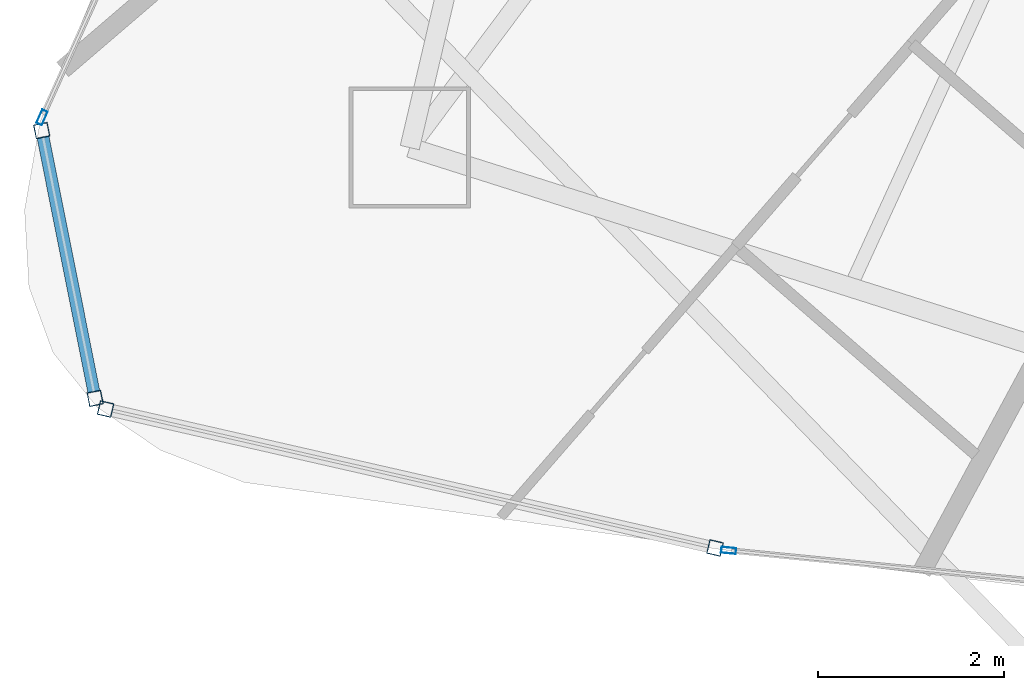
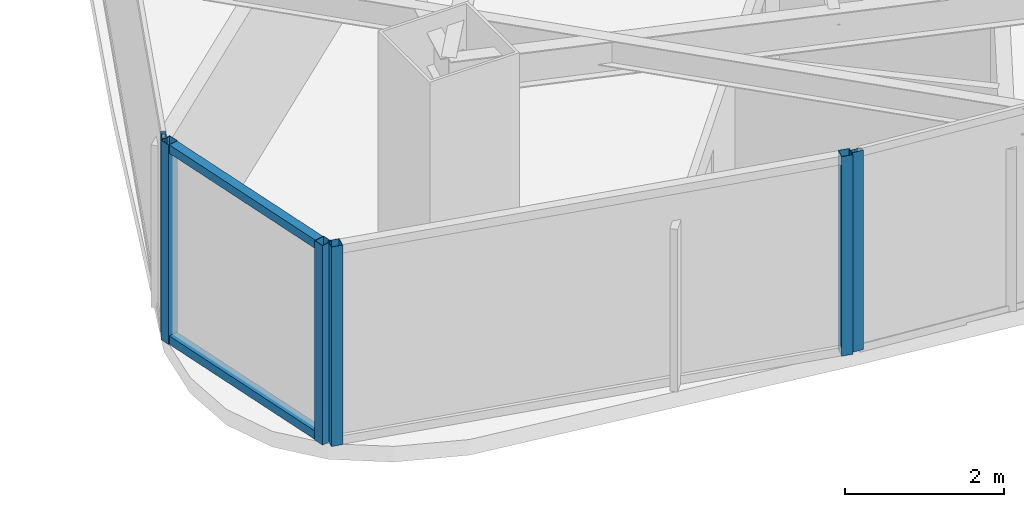
# One storey, part 2 of 30: 8 members, 4 elements without a shape of their own.
"""IFC4 building model written with IfcOpenShell, lengths in metres."""

from ifc_helpers import new_model, si_unit, direction, frame, origin, origin_2d, place, context, subcontext, project, spatial, hollow_rectangle, extrude, material, layer, layer_set, material_profile, profile_set, type_object, element, aggregate, save


model = new_model("IFC4")

# Units and contexts
model_context = context("Model", 3, precision=1e-05, world=origin(), true_north=direction((0.0, 1.0)))
body_context = subcontext(model_context, "Body", "Model", "MODEL_VIEW")
ifc_project = project(units=[si_unit("LENGTHUNIT", "METRE"), si_unit("AREAUNIT", "SQUARE_METRE"), si_unit("VOLUMEUNIT", "CUBIC_METRE"), si_unit("PLANEANGLEUNIT", "RADIAN"), si_unit("MASSUNIT", "GRAM", prefix="KILO")], contexts=[model_context])

# Site, building, storey
site_placement = place(None, origin())
site = spatial("IfcSite", under=ifc_project, at=site_placement, CompositionType="ELEMENT")
building_placement = place(site_placement, origin())
building = spatial("IfcBuilding", under=site, at=building_placement, Name="Orvanel Arch Residences", CompositionType="ELEMENT")
storey_placement = place(building_placement, frame((0.0, 0.0, 226.10009765625)))
storey = spatial("IfcBuildingStorey", under=building, at=storey_placement, Name="L64", CompositionType="ELEMENT", Elevation=226.10009765625)

# Curtain wall, members
ifc_material = material(Name="Bronze-anodised aluminium AA6063-T6", Category="aluminium")
ifc_layer_1 = layer(ifc_material, 0.18994140625)
ifc_layer_set_1 = layer_set([ifc_layer_1], Name="Bronze-anodised aluminium AA6063-T6")
curtain_wall_type_1 = type_object("IfcCurtainWallType", Name="CW5-CRN-SYS", PredefinedType="NOTDEFINED", material=ifc_layer_set_1)
curtain_wall_1_placement = place(storey_placement, origin())
curtain_wall_1 = element("IfcCurtainWall", 1, at=curtain_wall_1_placement, inside=storey, type_object=curtain_wall_type_1, Name="L64 CW5-CRN-SYS Unitised Curtain Wall", PredefinedType="NOTDEFINED")
ifc_material_profile_1 = material_profile(ifc_material, hollow_rectangle(XDim=0.14990234375, YDim=0.14990234375, WallThickness=0.0048828125, at=origin_2d()), Name="ALU150x150x5")
ifc_profile_set_1 = profile_set([ifc_material_profile_1], Name="Bronze-anodised aluminium AA6063-T6")
member_type_1 = type_object("IfcMemberType", Name="MUL-150x150", PredefinedType="MULLION", material=ifc_profile_set_1)
member_1_placement = place(storey_placement, frame((10.250732421875, 10.533447265625, 0.0), z_axis=(0.0, 0.0, 1.0), x_axis=(0.980643071416, 0.195803898032, 0.0)))
member_1 = element("IfcMember", 2, at=member_1_placement, type_object=member_type_1, Name="CW-S5 mullion 1", PredefinedType="MULLION", context=body_context, shape_type="SweptSolid", body=[
    extrude(hollow_rectangle(XDim=0.14990234375, YDim=0.14990234375, WallThickness=0.0048828125, at=origin_2d()), origin(), (0.0, 0.0, 1.0), 3.059814453125),
])
member_2_placement = place(storey_placement, frame((10.82421875, 7.66064453125, 0.0), z_axis=(0.0, 0.0, 1.0), x_axis=(0.980643071416, 0.195803898032, 0.0)))
member_2 = element("IfcMember", 3, at=member_2_placement, type_object=member_type_1, Name="CW-S5 mullion 2", PredefinedType="MULLION", context=body_context, shape_type="SweptSolid", body=[
    extrude(hollow_rectangle(XDim=0.14990234375, YDim=0.14990234375, WallThickness=0.0048828125, at=origin_2d()), origin(), (0.0, 0.0, 1.0), 3.059814453125),
])

curtain_wall_2_placement = place(storey_placement, origin())
curtain_wall_2 = element("IfcCurtainWall", 4, at=curtain_wall_2_placement, inside=storey, type_object=curtain_wall_type_1, Name="L64 CW5-CRN-SYS Unitised Curtain Wall", PredefinedType="NOTDEFINED")
member_3_placement = place(storey_placement, frame((10.93603515625, 7.54638671875, 0.0), z_axis=(0.0, 0.0, 1.0), x_axis=(0.222301955264, 0.974977866767, 0.0)))
member_3 = element("IfcMember", 5, at=member_3_placement, type_object=member_type_1, Name="CW-S5 mullion 1", PredefinedType="MULLION", context=body_context, shape_type="SweptSolid", body=[
    extrude(hollow_rectangle(XDim=0.14990234375, YDim=0.14990234375, WallThickness=0.0048828125, at=origin_2d()), origin(), (0.0, 0.0, 1.0), 3.059814453125),
])
member_4_placement = place(storey_placement, frame((17.473876953125, 6.0556640625, 0.0), z_axis=(0.0, 0.0, 1.0), x_axis=(0.222301955264, 0.974977866767, 0.0)))
member_4 = element("IfcMember", 6, at=member_4_placement, type_object=member_type_1, Name="CW-S5 mullion 2", PredefinedType="MULLION", context=body_context, shape_type="SweptSolid", body=[
    extrude(hollow_rectangle(XDim=0.14990234375, YDim=0.14990234375, WallThickness=0.0048828125, at=origin_2d()), origin(), (0.0, 0.0, 1.0), 3.059814453125),
])
aggregate(curtain_wall_2, [member_3, member_4])

# Curtain wall, member
ifc_layer_2 = layer(ifc_material, 0.175048828125)
ifc_layer_set_2 = layer_set([ifc_layer_2], Name="Bronze-anodised aluminium AA6063-T6")
curtain_wall_type_2 = type_object("IfcCurtainWallType", Name="CW4-HI-SYS", PredefinedType="NOTDEFINED", material=ifc_layer_set_2)
curtain_wall_3_placement = place(storey_placement, origin())
curtain_wall_3 = element("IfcCurtainWall", 7, at=curtain_wall_3_placement, inside=storey, type_object=curtain_wall_type_2, Name="L64 CW4-HI-SYS Unitised Curtain Wall", PredefinedType="NOTDEFINED")
ifc_material_profile_2 = material_profile(ifc_material, hollow_rectangle(XDim=0.06494140625, YDim=0.159912109375, WallThickness=0.00390625, at=origin_2d()), Name="ALU160x65x4")
ifc_profile_set_2 = profile_set([ifc_material_profile_2], Name="Bronze-anodised aluminium AA6063-T6")
member_type_2 = type_object("IfcMemberType", Name="MUL-160x65", PredefinedType="MULLION", material=ifc_profile_set_2)
member_5_placement = place(storey_placement, frame((10.25341796875, 10.674560546875, 0.0), z_axis=(0.0, 0.0, 1.0), x_axis=(0.911577429328, -0.411128435335, 0.0)))
member_5 = element("IfcMember", 8, at=member_5_placement, type_object=member_type_2, Name="CW-S4 mullion 3", PredefinedType="MULLION", context=body_context, shape_type="SweptSolid", body=[
    extrude(hollow_rectangle(XDim=0.06494140625, YDim=0.159912109375, WallThickness=0.00390625, at=origin_2d()), origin(), (0.0, 0.0, 1.0), 3.059814453125),
])
aggregate(curtain_wall_3, [member_5])

curtain_wall_4_placement = place(storey_placement, origin())
curtain_wall_4 = element("IfcCurtainWall", 9, at=curtain_wall_4_placement, inside=storey, type_object=curtain_wall_type_2, Name="L64 CW4-HI-SYS Unitised Curtain Wall", PredefinedType="NOTDEFINED")
member_6_placement = place(storey_placement, frame((17.619384765625, 6.02978515625, 0.0), z_axis=(0.0, 0.0, 1.0), x_axis=(0.099032673027, 0.995084182204, 0.0)))
member_6 = element("IfcMember", 10, at=member_6_placement, type_object=member_type_2, Name="CW-S4 mullion 1", PredefinedType="MULLION", context=body_context, shape_type="SweptSolid", body=[
    extrude(hollow_rectangle(XDim=0.06494140625, YDim=0.159912109375, WallThickness=0.00390625, at=origin_2d()), origin(), (0.0, 0.0, 1.0), 3.059814453125),
])
aggregate(curtain_wall_4, [member_6])

# Member
ifc_material_profile_3 = material_profile(ifc_material, hollow_rectangle(XDim=0.1298828125, YDim=0.1298828125, WallThickness=0.00439453125, at=origin_2d()), Name="ALU130x130x4.5")
ifc_profile_set_3 = profile_set([ifc_material_profile_3], Name="Bronze-anodised aluminium AA6063-T6")
member_type_3 = type_object("IfcMemberType", Name="TRN-130x130", PredefinedType="USERDEFINED", material=ifc_profile_set_3)
member_7_placement = place(storey_placement, frame((10.265380859375, 10.4599609375, 0.06494140625), z_axis=(0.195778306772, -0.980648180847, 0.0), x_axis=(0.980648180847, 0.195778306772, 0.0)))
member_7 = element("IfcMember", 11, at=member_7_placement, type_object=member_type_3, Name="CW-S5 transom 1.1", ObjectType="TRANSOM", PredefinedType="USERDEFINED", context=body_context, shape_type="SweptSolid", body=[
    extrude(hollow_rectangle(XDim=0.1298828125, YDim=0.1298828125, WallThickness=0.00439453125, at=origin_2d()), origin(), (0.0, 0.0, 1.0), 2.779541015625),
])

member_8_placement = place(storey_placement, frame((10.265380859375, 10.4599609375, 2.994873046875), z_axis=(0.195778306772, -0.980648180847, 0.0), x_axis=(0.980648180847, 0.195778306772, 0.0)))
member_8 = element("IfcMember", 12, at=member_8_placement, type_object=member_type_3, Name="CW-S5 transom 1.2", ObjectType="TRANSOM", PredefinedType="USERDEFINED", context=body_context, shape_type="SweptSolid", body=[
    extrude(hollow_rectangle(XDim=0.1298828125, YDim=0.1298828125, WallThickness=0.00439453125, at=origin_2d()), origin(), (0.0, 0.0, 1.0), 2.779541015625),
])

aggregate(curtain_wall_1, [member_1, member_2, member_7, member_8])

save(model, "model.ifc")
